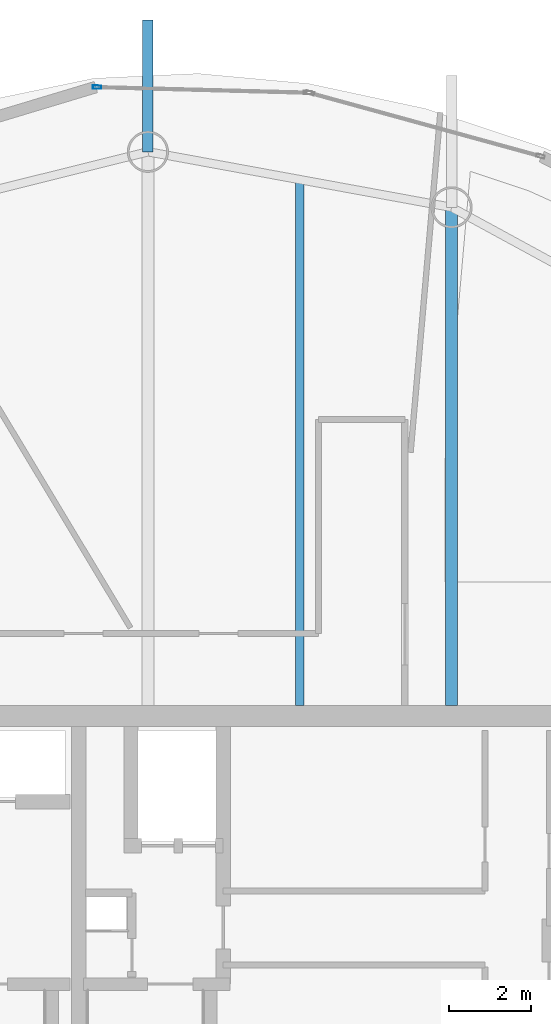
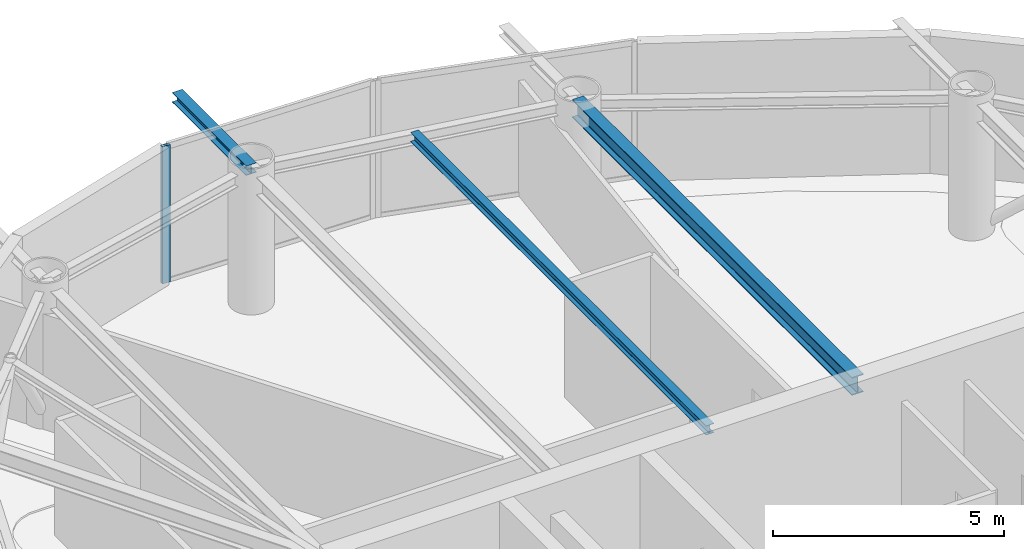
# One storey, part 11 of 20: 3 beams, 1 member, 1 element without a shape of its own.
"""IFC4 building model written with IfcOpenShell, lengths in metres."""

from ifc_helpers import new_model, si_unit, direction, frame, origin, origin_2d, place, context, subcontext, project, spatial, hollow_rectangle, i_section, extrude, material, layer, layer_set, material_profile, profile_set, type_object, element, aggregate, save


model = new_model("IFC4")

# Units and contexts
model_context = context("Model", 3, precision=1e-05, world=origin(), true_north=direction((0.0, 1.0)))
body_context = subcontext(model_context, "Body", "Model", "MODEL_VIEW")
ifc_project = project(units=[si_unit("LENGTHUNIT", "METRE"), si_unit("AREAUNIT", "SQUARE_METRE"), si_unit("VOLUMEUNIT", "CUBIC_METRE"), si_unit("PLANEANGLEUNIT", "RADIAN"), si_unit("MASSUNIT", "GRAM", prefix="KILO")], contexts=[model_context])

# Site, building, storey
site_placement = place(None, origin())
site = spatial("IfcSite", under=ifc_project, at=site_placement, CompositionType="ELEMENT")
building_placement = place(site_placement, origin())
building = spatial("IfcBuilding", under=site, at=building_placement, Name="Bramvorn Convention Spire", CompositionType="ELEMENT")
storey_placement = place(building_placement, frame((0.0, 0.0, 284.39990234375)))
storey = spatial("IfcBuildingStorey", under=building, at=storey_placement, Name="L72", CompositionType="ELEMENT", Elevation=284.39990234375)

# Beams
ifc_material_1 = material(Name="Steel CSA G40.21 Grade 350 (350W)", Category="steel")
ifc_material_profile_1 = material_profile(ifc_material_1, i_section(OverallWidth=0.201904296875, OverallDepth=0.2470703125, WebThickness=0.00732421875, FlangeThickness=0.010986328125, FilletRadius=0.011962890625, at=origin_2d()))
ifc_profile_set_1 = profile_set([ifc_material_profile_1], Name="Steel CSA G40.21 Grade 350 (350W) - W250X49")
beam_type_1 = type_object("IfcBeamType", Name="BM-W250X49", PredefinedType="JOIST", material=ifc_profile_set_1)
beam_1_placement = place(storey_placement, frame((36.498046875, 33.449951171875, 3.501708984375), z_axis=(0.0, 1.0, 0.0), x_axis=(-1.0, 0.0, 0.0)))
element("IfcBeam", 1, at=beam_1_placement, inside=storey, type_object=beam_type_1, Name="L72 composite floor joist 07", PredefinedType="JOIST", context=body_context, shape_type="SweptSolid", body=[
    extrude(i_section(OverallWidth=0.201904296875, OverallDepth=0.2470703125, WebThickness=0.00732421875, FlangeThickness=0.010986328125, FilletRadius=0.011962890625, at=origin_2d()), origin(), (0.0, 0.0, 1.0), 12.77587890625),
])
ifc_material_profile_2 = material_profile(ifc_material_1, i_section(OverallWidth=0.25390625, OverallDepth=0.2529296875, WebThickness=0.008544921875, FlangeThickness=0.01416015625, FilletRadius=0.011962890625, at=origin_2d()))
ifc_profile_set_2 = profile_set([ifc_material_profile_2], Name="Steel CSA G40.21 Grade 350 (350W) - W250X73")
beam_type_2 = type_object("IfcBeamType", Name="BM-W250X73", PredefinedType="BEAM", material=ifc_profile_set_2)
beam_2_placement = place(storey_placement, frame((32.8115234375, 46.90087890625, 3.49853515625), z_axis=(0.0, 1.0, 0.0), x_axis=(-1.0, 0.0, 0.0)))
element("IfcBeam", 2, at=beam_2_placement, inside=storey, type_object=beam_type_2, Name="L72 slab-edge cantilever tip beam MC08", PredefinedType="BEAM", context=body_context, shape_type="SweptSolid", body=[
    extrude(i_section(OverallWidth=0.25390625, OverallDepth=0.2529296875, WebThickness=0.008544921875, FlangeThickness=0.01416015625, FilletRadius=0.011962890625, at=origin_2d()), origin(), (0.0, 0.0, 1.0), 3.199951171875),
])
ifc_material_profile_3 = material_profile(ifc_material_1, i_section(OverallWidth=0.283935546875, OverallDepth=0.47607421875, WebThickness=0.014892578125, FlangeThickness=0.02392578125, FilletRadius=0.01806640625, at=origin_2d()))
ifc_profile_set_3 = profile_set([ifc_material_profile_3], Name="Steel CSA G40.21 Grade 350 (350W) - W460X158")
beam_type_3 = type_object("IfcBeamType", Name="BM-W460X158", PredefinedType="SPANDREL", material=ifc_profile_set_3)
beam_3_placement = place(storey_placement, frame((40.1845703125, 33.449951171875, 3.38720703125), z_axis=(0.0, 1.0, 0.0), x_axis=(-1.0, 0.0, 0.0)))
element("IfcBeam", 3, at=beam_3_placement, inside=storey, type_object=beam_type_3, Name="L72 radial floor girder MC07", PredefinedType="SPANDREL", context=body_context, shape_type="SweptSolid", body=[
    extrude(i_section(OverallWidth=0.283935546875, OverallDepth=0.47607421875, WebThickness=0.014892578125, FlangeThickness=0.02392578125, FilletRadius=0.01806640625, at=origin_2d()), origin(), (0.0, 0.0, 1.0), 12.100830078125),
])

# Curtain wall, member
ifc_material_2 = material(Name="Anodised Bronze Unitised Curtain Wall", Category="aluminium")
ifc_layer = layer(ifc_material_2, 0.179931640625)
ifc_layer_set = layer_set([ifc_layer], Name="Anodised Bronze Unitised Curtain Wall - CW-OFF-FRIT")
curtain_wall_type = type_object("IfcCurtainWallType", Name="CW-OFF-FRIT", PredefinedType="USERDEFINED", material=ifc_layer_set)
curtain_wall_placement = place(storey_placement, origin())
curtain_wall = element("IfcCurtainWall", 4, at=curtain_wall_placement, inside=storey, type_object=curtain_wall_type, Name="L72 fritted glass curtain wall 11", ObjectType="UNITISED CURTAIN WALL", PredefinedType="USERDEFINED")
ifc_material_3 = material(Name="Anodised Bronze Aluminium 6063-T6", Category="aluminium")
ifc_material_profile_4 = material_profile(ifc_material_3, hollow_rectangle(XDim=0.080078125, YDim=0.199951171875, WallThickness=0.00390625, InnerFilletRadius=0.0009765625, OuterFilletRadius=0.00390625, at=origin_2d()))
ifc_profile_set_4 = profile_set([ifc_material_profile_4], Name="Anodised Bronze Aluminium 6063-T6 - CWM80X200")
member_type = type_object("IfcMemberType", Name="CW-MUL-180", PredefinedType="MULLION", material=ifc_profile_set_4)
member_placement = place(storey_placement, frame((31.576416015625, 48.47119140625, 0.0), z_axis=(0.0, 0.0, 1.0), x_axis=(0.02625895308, 0.999655174239, 0.0)))
member = element("IfcMember", 5, at=member_placement, type_object=member_type, Name="CW3 mullion 1", PredefinedType="MULLION", context=body_context, shape_type="SweptSolid", body=[
    extrude(hollow_rectangle(XDim=0.080078125, YDim=0.199951171875, WallThickness=0.00390625, InnerFilletRadius=0.0009765625, OuterFilletRadius=0.00390625, at=origin_2d()), origin(), (0.0, 0.0, 1.0), 3.625),
])
aggregate(curtain_wall, [member])

save(model, "model.ifc")
